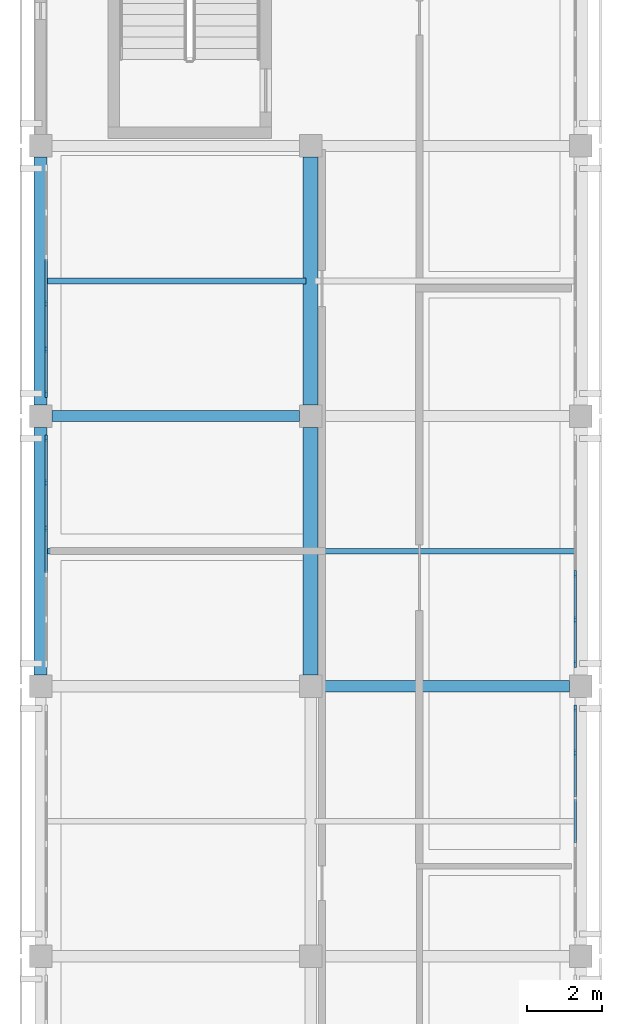
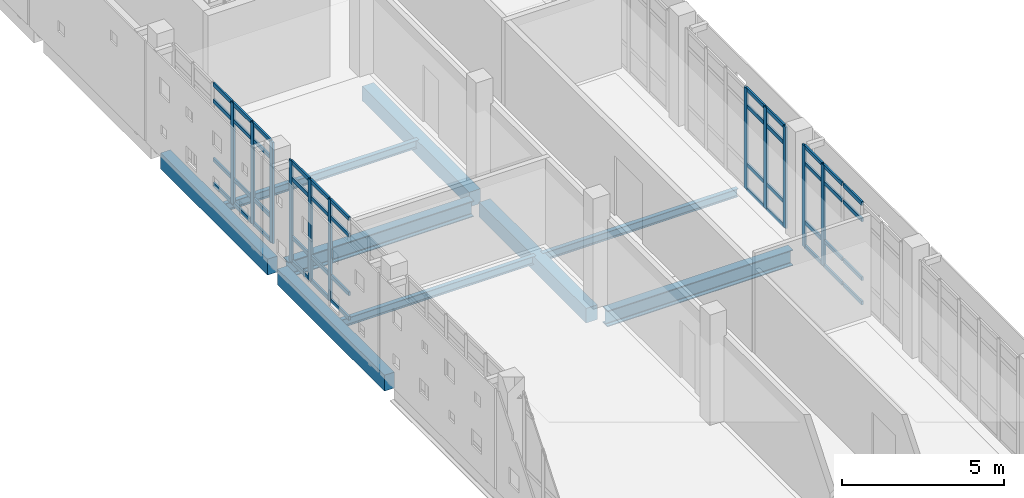
# One storey, part 6 of 21: 55 members, 9 beams, 4 elements without a shape of their own.
"""IFC4 building model written with IfcOpenShell, lengths in metres."""

from ifc_helpers import new_model, si_unit, direction, frame, origin, origin_2d, place, context, subcontext, project, spatial, rectangle, i_section, extrude, material, layer, layer_set, material_profile, profile_set, type_object, element, aggregate, save


model = new_model("IFC4")

# Units and contexts
model_context = context("Model", 3, precision=1e-05, world=origin(), true_north=direction((0.0, 1.0)))
body_context = subcontext(model_context, "Body", "Model", "MODEL_VIEW")
ifc_project = project(units=[si_unit("LENGTHUNIT", "METRE"), si_unit("AREAUNIT", "SQUARE_METRE"), si_unit("VOLUMEUNIT", "CUBIC_METRE"), si_unit("PLANEANGLEUNIT", "RADIAN"), si_unit("MASSUNIT", "GRAM", prefix="KILO")], contexts=[model_context])

# Site, building, storey
site_placement = place(None, origin())
site = spatial("IfcSite", under=ifc_project, at=site_placement, CompositionType="ELEMENT")
building_placement = place(site_placement, origin())
building = spatial("IfcBuilding", under=site, at=building_placement, Name="Valkovuoma Quantum and Materials Research Institute", CompositionType="ELEMENT")
storey_placement = place(building_placement, frame((0.0, 0.0, 33.919921875)))
storey = spatial("IfcBuildingStorey", under=building, at=storey_placement, Name="L08", CompositionType="ELEMENT", Elevation=33.919921875)

# Beams
ifc_material_1 = material(Name="Steel S355J2", Category="steel")
ifc_material_profile_1 = material_profile(ifc_material_1, i_section(OverallWidth=0.300048828125, OverallDepth=0.60009765625, WebThickness=0.015380859375, FlangeThickness=0.030029296875, FilletRadius=0.027099609375, at=origin_2d()), Name="Steel S355J2")
ifc_profile_set_1 = profile_set([ifc_material_profile_1], Name="Steel S355J2")
beam_type_1 = type_object("IfcBeamType", Name="Beam-B-HEB600", PredefinedType="BEAM", material=ifc_profile_set_1)
beam_1_placement = place(storey_placement, frame((7.5, 57.60009765625, -0.64990234375), z_axis=(1.0, 0.0, 0.0), x_axis=(0.0, 1.0, 0.0)))
element("IfcBeam", 1, at=beam_1_placement, inside=storey, type_object=beam_type_1, Name="L08 beam X-2539", PredefinedType="BEAM", context=body_context, shape_type="SweptSolid", body=[
    extrude(i_section(OverallWidth=0.300048828125, OverallDepth=0.60009765625, WebThickness=0.015380859375, FlangeThickness=0.030029296875, FilletRadius=0.027099609375, at=origin_2d()), origin(), (0.0, 0.0, 1.0), 6.60009765625),
])
beam_2_placement = place(storey_placement, frame((0.300048828125, 64.800048828125, -0.64990234375), z_axis=(1.0, 0.0, 0.0), x_axis=(0.0, 1.0, 0.0)))
element("IfcBeam", 2, at=beam_2_placement, inside=storey, type_object=beam_type_1, Name="L08 beam X-2540", PredefinedType="BEAM", context=body_context, shape_type="SweptSolid", body=[
    extrude(i_section(OverallWidth=0.300048828125, OverallDepth=0.60009765625, WebThickness=0.015380859375, FlangeThickness=0.030029296875, FilletRadius=0.027099609375, at=origin_2d()), origin(), (0.0, 0.0, 1.0), 6.599853515625),
])
ifc_material_2 = material(Name="Steel S355J2", Category="steel")
ifc_material_profile_2 = material_profile(ifc_material_2, i_section(OverallWidth=0.14990234375, OverallDepth=0.300048828125, WebThickness=0.007080078125, FlangeThickness=0.0107421875, FilletRadius=0.014892578125, at=origin_2d()), Name="Steel S355J2")
ifc_profile_set_2 = profile_set([ifc_material_profile_2], Name="Steel S355J2")
beam_type_2 = type_object("IfcBeamType", Name="Beam-B-JST300", PredefinedType="JOIST", material=ifc_profile_set_2)
for number, where, z_axis, x_axis, name in (
    (3, (0.1201171875, 61.199951171875, -0.5), (1.0, 0.0, 0.0), (0.0, 1.0, 0.0), "L08 floor joist 2566"),
    (4, (7.320068359375, 61.199951171875, -0.5), (1.0, 0.0, 0.0), (0.0, 1.0, 0.0), "L08 floor joist 2567"),
    (5, (0.1201171875, 68.39990234375, -0.5), (1.0, 0.0, 0.0), (0.0, 1.0, 0.0), "L08 floor joist 2568"),
):
    element("IfcBeam", number, at=place(storey_placement, frame(where, z_axis=z_axis, x_axis=x_axis)), inside=storey, type_object=beam_type_2, Name=name, PredefinedType="JOIST", context=body_context, shape_type="SweptSolid", body=[
        extrude(i_section(OverallWidth=0.14990234375, OverallDepth=0.300048828125, WebThickness=0.007080078125, FlangeThickness=0.0107421875, FilletRadius=0.014892578125, at=origin_2d()), origin(), (0.0, 0.0, 1.0), 6.9599609375),
    ])
ifc_material_3 = material(Name="Concrete C40/50", Category="concrete")
ifc_material_profile_3 = material_profile(ifc_material_3, rectangle(XDim=0.39990234375, YDim=0.550048828125, at=origin_2d()), Name="Concrete C40/50")
ifc_profile_set_3 = profile_set([ifc_material_profile_3], Name="Concrete C40/50")
beam_type_3 = type_object("IfcBeamType", Name="Beam-B-RC550", PredefinedType="BEAM", material=ifc_profile_set_3)
beam_3_placement = place(storey_placement, frame((7.199951171875, 57.89990234375, -0.625), z_axis=(0.0, 1.0, 0.0), x_axis=(-1.0, 0.0, 0.0)))
element("IfcBeam", 6, at=beam_3_placement, inside=storey, type_object=beam_type_3, Name="L08 beam Y-2553", PredefinedType="BEAM", context=body_context, shape_type="SweptSolid", body=[
    extrude(rectangle(XDim=0.39990234375, YDim=0.550048828125, at=origin_2d()), origin(), (0.0, 0.0, 1.0), 6.60009765625),
])
beam_4_placement = place(storey_placement, frame((7.199951171875, 65.10009765625, -0.625), z_axis=(0.0, 1.0, 0.0), x_axis=(-1.0, 0.0, 0.0)))
element("IfcBeam", 7, at=beam_4_placement, inside=storey, type_object=beam_type_3, Name="L08 beam Y-2554", PredefinedType="BEAM", context=body_context, shape_type="SweptSolid", body=[
    extrude(rectangle(XDim=0.39990234375, YDim=0.550048828125, at=origin_2d()), origin(), (0.0, 0.0, 1.0), 6.599853515625),
])
ifc_material_4 = material(Name="Concrete C40/50", Category="concrete")
ifc_material_profile_4 = material_profile(ifc_material_4, rectangle(XDim=0.35009765625, YDim=0.60009765625, at=origin_2d()), Name="Concrete C40/50")
ifc_profile_set_4 = profile_set([ifc_material_profile_4], Name="Concrete C40/50")
beam_type_4 = type_object("IfcBeamType", Name="Beam-B-SPN600", PredefinedType="SPANDREL", material=ifc_profile_set_4)
beam_5_placement = place(storey_placement, frame((0.0, 57.89990234375, -0.64990234375), z_axis=(0.0, 1.0, 0.0), x_axis=(-1.0, 0.0, 0.0)))
element("IfcBeam", 8, at=beam_5_placement, inside=storey, type_object=beam_type_4, Name="L08 beam Y-2548", PredefinedType="SPANDREL", context=body_context, shape_type="SweptSolid", body=[
    extrude(rectangle(XDim=0.35009765625, YDim=0.60009765625, at=origin_2d()), origin(), (0.0, 0.0, 1.0), 6.60009765625),
])
beam_6_placement = place(storey_placement, frame((0.0, 65.10009765625, -0.64990234375), z_axis=(0.0, 1.0, 0.0), x_axis=(-1.0, 0.0, 0.0)))
element("IfcBeam", 9, at=beam_6_placement, inside=storey, type_object=beam_type_4, Name="L08 beam Y-2549", PredefinedType="SPANDREL", context=body_context, shape_type="SweptSolid", body=[
    extrude(rectangle(XDim=0.35009765625, YDim=0.60009765625, at=origin_2d()), origin(), (0.0, 0.0, 1.0), 6.599853515625),
])

# Curtain wall, members
ifc_material_5 = material(Name="Thermally broken aluminium and triple low-E glazing", Category="aluminium")
ifc_layer = layer(ifc_material_5, 0.219970703125)
ifc_layer_set = layer_set([ifc_layer], Name="Thermally broken aluminium and triple low-E glazing")
curtain_wall_type = type_object("IfcCurtainWallType", Name="CW-CW-01", PredefinedType="NOTDEFINED", material=ifc_layer_set)
curtain_wall_1_placement = place(storey_placement, origin())
curtain_wall_1 = element("IfcCurtainWall", 10, at=curtain_wall_1_placement, inside=storey, type_object=curtain_wall_type, Name="L08 curtain wall 117", PredefinedType="NOTDEFINED")
ifc_material_6 = material(Name="Anodised aluminium 6060-T66", Category="aluminium")
ifc_material_profile_5 = material_profile(ifc_material_6, rectangle(XDim=0.06494140625, YDim=0.179931640625, at=origin_2d()), Name="Anodised aluminium 6060-T66")
ifc_profile_set_5 = profile_set([ifc_material_profile_5], Name="Anodised aluminium 6060-T66")
member_type_1 = type_object("IfcMemberType", Name="CWMull-CWM-01", PredefinedType="MULLION", material=ifc_profile_set_5)
member_1_placement = place(storey_placement, frame((14.25, 55.82568359375, 0.0), z_axis=(0.0, 0.0, 1.0), x_axis=(-1.0, 0.0, 0.0)))
member_1 = element("IfcMember", 11, at=member_1_placement, type_object=member_type_1, Name="CW-01 mullion 5", PredefinedType="MULLION", context=body_context, shape_type="SweptSolid", body=[
    extrude(rectangle(XDim=0.06494140625, YDim=0.179931640625, at=origin_2d()), origin(), (0.0, 0.0, 1.0), 3.81005859375),
])
member_2_placement = place(storey_placement, frame((14.25, 57.010498046875, 0.0), z_axis=(0.0, 0.0, 1.0), x_axis=(-1.0, 0.0, 0.0)))
member_2 = element("IfcMember", 12, at=member_2_placement, type_object=member_type_1, Name="CW-01 mullion 6", PredefinedType="MULLION", context=body_context, shape_type="SweptSolid", body=[
    extrude(rectangle(XDim=0.06494140625, YDim=0.179931640625, at=origin_2d()), origin(), (0.0, 0.0, 1.0), 3.81005859375),
])

curtain_wall_2_placement = place(storey_placement, origin())
curtain_wall_2 = element("IfcCurtainWall", 13, at=curtain_wall_2_placement, inside=storey, type_object=curtain_wall_type, Name="L08 curtain wall 118", PredefinedType="NOTDEFINED")
member_3_placement = place(storey_placement, frame((0.14990234375, 61.80859375, 0.0), z_axis=(0.0, 0.0, 1.0), x_axis=(-1.0, 0.0, 0.0)))
member_3 = element("IfcMember", 14, at=member_3_placement, type_object=member_type_1, Name="CW-01 mullion 4", PredefinedType="MULLION", context=body_context, shape_type="SweptSolid", body=[
    extrude(rectangle(XDim=0.06494140625, YDim=0.179931640625, at=origin_2d()), origin(), (0.0, 0.0, 1.0), 3.81005859375),
])
member_4_placement = place(storey_placement, frame((0.14990234375, 63.025634765625, 0.0), z_axis=(0.0, 0.0, 1.0), x_axis=(-1.0, 0.0, 0.0)))
member_4 = element("IfcMember", 15, at=member_4_placement, type_object=member_type_1, Name="CW-01 mullion 5", PredefinedType="MULLION", context=body_context, shape_type="SweptSolid", body=[
    extrude(rectangle(XDim=0.06494140625, YDim=0.179931640625, at=origin_2d()), origin(), (0.0, 0.0, 1.0), 3.81005859375),
])
member_5_placement = place(storey_placement, frame((0.14990234375, 64.21044921875, 0.0), z_axis=(0.0, 0.0, 1.0), x_axis=(-1.0, 0.0, 0.0)))
member_5 = element("IfcMember", 16, at=member_5_placement, type_object=member_type_1, Name="CW-01 mullion 6", PredefinedType="MULLION", context=body_context, shape_type="SweptSolid", body=[
    extrude(rectangle(XDim=0.06494140625, YDim=0.179931640625, at=origin_2d()), origin(), (0.0, 0.0, 1.0), 3.81005859375),
])

curtain_wall_3_placement = place(storey_placement, origin())
curtain_wall_3 = element("IfcCurtainWall", 17, at=curtain_wall_3_placement, inside=storey, type_object=curtain_wall_type, Name="L08 curtain wall 119", PredefinedType="NOTDEFINED")
member_6_placement = place(storey_placement, frame((14.25, 58.189697265625, 0.0), z_axis=(0.0, 0.0, 1.0), x_axis=(-1.0, 0.0, 0.0)))
member_6 = element("IfcMember", 18, at=member_6_placement, type_object=member_type_1, Name="CW-01 mullion 1", PredefinedType="MULLION", context=body_context, shape_type="SweptSolid", body=[
    extrude(rectangle(XDim=0.06494140625, YDim=0.179931640625, at=origin_2d()), origin(), (0.0, 0.0, 1.0), 3.81005859375),
])
member_7_placement = place(storey_placement, frame((14.25, 59.374267578125, 0.0), z_axis=(0.0, 0.0, 1.0), x_axis=(-1.0, 0.0, 0.0)))
member_7 = element("IfcMember", 19, at=member_7_placement, type_object=member_type_1, Name="CW-01 mullion 2", PredefinedType="MULLION", context=body_context, shape_type="SweptSolid", body=[
    extrude(rectangle(XDim=0.06494140625, YDim=0.179931640625, at=origin_2d()), origin(), (0.0, 0.0, 1.0), 3.81005859375),
])
member_8_placement = place(storey_placement, frame((14.25, 60.59130859375, 0.0), z_axis=(0.0, 0.0, 1.0), x_axis=(-1.0, 0.0, 0.0)))
member_8 = element("IfcMember", 20, at=member_8_placement, type_object=member_type_1, Name="CW-01 mullion 3", PredefinedType="MULLION", context=body_context, shape_type="SweptSolid", body=[
    extrude(rectangle(XDim=0.06494140625, YDim=0.179931640625, at=origin_2d()), origin(), (0.0, 0.0, 1.0), 3.81005859375),
])

curtain_wall_4_placement = place(storey_placement, origin())
curtain_wall_4 = element("IfcCurtainWall", 21, at=curtain_wall_4_placement, inside=storey, type_object=curtain_wall_type, Name="L08 curtain wall 120", PredefinedType="NOTDEFINED")
member_9_placement = place(storey_placement, frame((0.14990234375, 65.3896484375, 0.0), z_axis=(0.0, 0.0, 1.0), x_axis=(-1.0, 0.0, 0.0)))
member_9 = element("IfcMember", 22, at=member_9_placement, type_object=member_type_1, Name="CW-01 mullion 1", PredefinedType="MULLION", context=body_context, shape_type="SweptSolid", body=[
    extrude(rectangle(XDim=0.06494140625, YDim=0.179931640625, at=origin_2d()), origin(), (0.0, 0.0, 1.0), 3.81005859375),
])
member_10_placement = place(storey_placement, frame((0.14990234375, 66.57421875, 0.0), z_axis=(0.0, 0.0, 1.0), x_axis=(-1.0, 0.0, 0.0)))
member_10 = element("IfcMember", 23, at=member_10_placement, type_object=member_type_1, Name="CW-01 mullion 2", PredefinedType="MULLION", context=body_context, shape_type="SweptSolid", body=[
    extrude(rectangle(XDim=0.06494140625, YDim=0.179931640625, at=origin_2d()), origin(), (0.0, 0.0, 1.0), 3.81005859375),
])
member_11_placement = place(storey_placement, frame((0.14990234375, 67.79150390625, 0.0), z_axis=(0.0, 0.0, 1.0), x_axis=(-1.0, 0.0, 0.0)))
member_11 = element("IfcMember", 24, at=member_11_placement, type_object=member_type_1, Name="CW-01 mullion 3", PredefinedType="MULLION", context=body_context, shape_type="SweptSolid", body=[
    extrude(rectangle(XDim=0.06494140625, YDim=0.179931640625, at=origin_2d()), origin(), (0.0, 0.0, 1.0), 3.81005859375),
])

# Member
ifc_material_7 = material(Name="Anodised aluminium 6060-T66", Category="aluminium")
ifc_material_profile_6 = material_profile(ifc_material_7, rectangle(XDim=0.06494140625, YDim=0.139892578125, at=origin_2d()), Name="Anodised aluminium 6060-T66")
ifc_profile_set_6 = profile_set([ifc_material_profile_6], Name="Anodised aluminium 6060-T66")
member_type_2 = type_object("IfcMemberType", Name="CWTran-CWT-01", PredefinedType="USERDEFINED", material=ifc_profile_set_6)
member_12_placement = place(storey_placement, frame((14.25, 53.423828125, 0.032470703125), z_axis=(0.0, 1.0, 0.0), x_axis=(-1.0, 0.0, 0.0)))
member_12 = element("IfcMember", 25, at=member_12_placement, type_object=member_type_2, Name="CW-01 transom 3.1", ObjectType="TRANSOM", PredefinedType="USERDEFINED", context=body_context, shape_type="SweptSolid", body=[
    extrude(rectangle(XDim=0.06494140625, YDim=0.139892578125, at=origin_2d()), origin(), (0.0, 0.0, 1.0), 1.15234375),
])

member_13_placement = place(storey_placement, frame((14.25, 53.423828125, 0.9501953125), z_axis=(0.0, 1.0, 0.0), x_axis=(-1.0, 0.0, 0.0)))
member_13 = element("IfcMember", 26, at=member_13_placement, type_object=member_type_2, Name="CW-01 transom 3.2", ObjectType="TRANSOM", PredefinedType="USERDEFINED", context=body_context, shape_type="SweptSolid", body=[
    extrude(rectangle(XDim=0.06494140625, YDim=0.139892578125, at=origin_2d()), origin(), (0.0, 0.0, 1.0), 1.15234375),
])

member_14_placement = place(storey_placement, frame((14.25, 53.423828125, 3.16015625), z_axis=(0.0, 1.0, 0.0), x_axis=(-1.0, 0.0, 0.0)))
member_14 = element("IfcMember", 27, at=member_14_placement, type_object=member_type_2, Name="CW-01 transom 3.3", ObjectType="TRANSOM", PredefinedType="USERDEFINED", context=body_context, shape_type="SweptSolid", body=[
    extrude(rectangle(XDim=0.06494140625, YDim=0.139892578125, at=origin_2d()), origin(), (0.0, 0.0, 1.0), 1.15234375),
])

member_15_placement = place(storey_placement, frame((14.25, 53.423828125, 3.777587890625), z_axis=(0.0, 1.0, 0.0), x_axis=(-1.0, 0.0, 0.0)))
member_15 = element("IfcMember", 28, at=member_15_placement, type_object=member_type_2, Name="CW-01 transom 3.4", ObjectType="TRANSOM", PredefinedType="USERDEFINED", context=body_context, shape_type="SweptSolid", body=[
    extrude(rectangle(XDim=0.06494140625, YDim=0.139892578125, at=origin_2d()), origin(), (0.0, 0.0, 1.0), 1.15234375),
])

member_16_placement = place(storey_placement, frame((14.25, 54.64111328125, 0.032470703125), z_axis=(0.0, 1.0, 0.0), x_axis=(-1.0, 0.0, 0.0)))
member_16 = element("IfcMember", 29, at=member_16_placement, type_object=member_type_2, Name="CW-01 transom 4.1", ObjectType="TRANSOM", PredefinedType="USERDEFINED", context=body_context, shape_type="SweptSolid", body=[
    extrude(rectangle(XDim=0.06494140625, YDim=0.139892578125, at=origin_2d()), origin(), (0.0, 0.0, 1.0), 1.152099609375),
])

member_17_placement = place(storey_placement, frame((14.25, 54.64111328125, 0.9501953125), z_axis=(0.0, 1.0, 0.0), x_axis=(-1.0, 0.0, 0.0)))
member_17 = element("IfcMember", 30, at=member_17_placement, type_object=member_type_2, Name="CW-01 transom 4.2", ObjectType="TRANSOM", PredefinedType="USERDEFINED", context=body_context, shape_type="SweptSolid", body=[
    extrude(rectangle(XDim=0.06494140625, YDim=0.139892578125, at=origin_2d()), origin(), (0.0, 0.0, 1.0), 1.152099609375),
])

member_18_placement = place(storey_placement, frame((14.25, 54.64111328125, 3.16015625), z_axis=(0.0, 1.0, 0.0), x_axis=(-1.0, 0.0, 0.0)))
member_18 = element("IfcMember", 31, at=member_18_placement, type_object=member_type_2, Name="CW-01 transom 4.3", ObjectType="TRANSOM", PredefinedType="USERDEFINED", context=body_context, shape_type="SweptSolid", body=[
    extrude(rectangle(XDim=0.06494140625, YDim=0.139892578125, at=origin_2d()), origin(), (0.0, 0.0, 1.0), 1.152099609375),
])

member_19_placement = place(storey_placement, frame((14.25, 54.64111328125, 3.777587890625), z_axis=(0.0, 1.0, 0.0), x_axis=(-1.0, 0.0, 0.0)))
member_19 = element("IfcMember", 32, at=member_19_placement, type_object=member_type_2, Name="CW-01 transom 4.4", ObjectType="TRANSOM", PredefinedType="USERDEFINED", context=body_context, shape_type="SweptSolid", body=[
    extrude(rectangle(XDim=0.06494140625, YDim=0.139892578125, at=origin_2d()), origin(), (0.0, 0.0, 1.0), 1.152099609375),
])

member_20_placement = place(storey_placement, frame((14.25, 55.858154296875, 0.032470703125), z_axis=(0.0, 1.0, 0.0), x_axis=(-1.0, 0.0, 0.0)))
member_20 = element("IfcMember", 33, at=member_20_placement, type_object=member_type_2, Name="CW-01 transom 5.1", ObjectType="TRANSOM", PredefinedType="USERDEFINED", context=body_context, shape_type="SweptSolid", body=[
    extrude(rectangle(XDim=0.06494140625, YDim=0.139892578125, at=origin_2d()), origin(), (0.0, 0.0, 1.0), 1.11962890625),
])

member_21_placement = place(storey_placement, frame((14.25, 55.858154296875, 0.9501953125), z_axis=(0.0, 1.0, 0.0), x_axis=(-1.0, 0.0, 0.0)))
member_21 = element("IfcMember", 34, at=member_21_placement, type_object=member_type_2, Name="CW-01 transom 5.2", ObjectType="TRANSOM", PredefinedType="USERDEFINED", context=body_context, shape_type="SweptSolid", body=[
    extrude(rectangle(XDim=0.06494140625, YDim=0.139892578125, at=origin_2d()), origin(), (0.0, 0.0, 1.0), 1.11962890625),
])

member_22_placement = place(storey_placement, frame((14.25, 55.858154296875, 3.16015625), z_axis=(0.0, 1.0, 0.0), x_axis=(-1.0, 0.0, 0.0)))
member_22 = element("IfcMember", 35, at=member_22_placement, type_object=member_type_2, Name="CW-01 transom 5.3", ObjectType="TRANSOM", PredefinedType="USERDEFINED", context=body_context, shape_type="SweptSolid", body=[
    extrude(rectangle(XDim=0.06494140625, YDim=0.139892578125, at=origin_2d()), origin(), (0.0, 0.0, 1.0), 1.11962890625),
])

member_23_placement = place(storey_placement, frame((14.25, 55.858154296875, 3.777587890625), z_axis=(0.0, 1.0, 0.0), x_axis=(-1.0, 0.0, 0.0)))
member_23 = element("IfcMember", 36, at=member_23_placement, type_object=member_type_2, Name="CW-01 transom 5.4", ObjectType="TRANSOM", PredefinedType="USERDEFINED", context=body_context, shape_type="SweptSolid", body=[
    extrude(rectangle(XDim=0.06494140625, YDim=0.139892578125, at=origin_2d()), origin(), (0.0, 0.0, 1.0), 1.11962890625),
])

aggregate(curtain_wall_1, [member_1, member_2, member_12, member_13, member_14, member_15, member_16, member_17, member_18, member_19, member_20, member_21, member_22, member_23])

member_24_placement = place(storey_placement, frame((0.14990234375, 60.6240234375, 0.032470703125), z_axis=(0.0, 1.0, 0.0), x_axis=(-1.0, 0.0, 0.0)))
member_24 = element("IfcMember", 37, at=member_24_placement, type_object=member_type_2, Name="CW-01 transom 3.1", ObjectType="TRANSOM", PredefinedType="USERDEFINED", context=body_context, shape_type="SweptSolid", body=[
    extrude(rectangle(XDim=0.06494140625, YDim=0.139892578125, at=origin_2d()), origin(), (0.0, 0.0, 1.0), 1.152099609375),
])

member_25_placement = place(storey_placement, frame((0.14990234375, 60.6240234375, 0.9501953125), z_axis=(0.0, 1.0, 0.0), x_axis=(-1.0, 0.0, 0.0)))
member_25 = element("IfcMember", 38, at=member_25_placement, type_object=member_type_2, Name="CW-01 transom 3.2", ObjectType="TRANSOM", PredefinedType="USERDEFINED", context=body_context, shape_type="SweptSolid", body=[
    extrude(rectangle(XDim=0.06494140625, YDim=0.139892578125, at=origin_2d()), origin(), (0.0, 0.0, 1.0), 1.152099609375),
])

member_26_placement = place(storey_placement, frame((0.14990234375, 60.6240234375, 3.16015625), z_axis=(0.0, 1.0, 0.0), x_axis=(-1.0, 0.0, 0.0)))
member_26 = element("IfcMember", 39, at=member_26_placement, type_object=member_type_2, Name="CW-01 transom 3.3", ObjectType="TRANSOM", PredefinedType="USERDEFINED", context=body_context, shape_type="SweptSolid", body=[
    extrude(rectangle(XDim=0.06494140625, YDim=0.139892578125, at=origin_2d()), origin(), (0.0, 0.0, 1.0), 1.152099609375),
])

member_27_placement = place(storey_placement, frame((0.14990234375, 60.6240234375, 3.777587890625), z_axis=(0.0, 1.0, 0.0), x_axis=(-1.0, 0.0, 0.0)))
member_27 = element("IfcMember", 40, at=member_27_placement, type_object=member_type_2, Name="CW-01 transom 3.4", ObjectType="TRANSOM", PredefinedType="USERDEFINED", context=body_context, shape_type="SweptSolid", body=[
    extrude(rectangle(XDim=0.06494140625, YDim=0.139892578125, at=origin_2d()), origin(), (0.0, 0.0, 1.0), 1.152099609375),
])

member_28_placement = place(storey_placement, frame((0.14990234375, 61.841064453125, 0.032470703125), z_axis=(0.0, 1.0, 0.0), x_axis=(-1.0, 0.0, 0.0)))
member_28 = element("IfcMember", 41, at=member_28_placement, type_object=member_type_2, Name="CW-01 transom 4.1", ObjectType="TRANSOM", PredefinedType="USERDEFINED", context=body_context, shape_type="SweptSolid", body=[
    extrude(rectangle(XDim=0.06494140625, YDim=0.139892578125, at=origin_2d()), origin(), (0.0, 0.0, 1.0), 1.152099609375),
])

member_29_placement = place(storey_placement, frame((0.14990234375, 61.841064453125, 0.9501953125), z_axis=(0.0, 1.0, 0.0), x_axis=(-1.0, 0.0, 0.0)))
member_29 = element("IfcMember", 42, at=member_29_placement, type_object=member_type_2, Name="CW-01 transom 4.2", ObjectType="TRANSOM", PredefinedType="USERDEFINED", context=body_context, shape_type="SweptSolid", body=[
    extrude(rectangle(XDim=0.06494140625, YDim=0.139892578125, at=origin_2d()), origin(), (0.0, 0.0, 1.0), 1.152099609375),
])

member_30_placement = place(storey_placement, frame((0.14990234375, 61.841064453125, 3.16015625), z_axis=(0.0, 1.0, 0.0), x_axis=(-1.0, 0.0, 0.0)))
member_30 = element("IfcMember", 43, at=member_30_placement, type_object=member_type_2, Name="CW-01 transom 4.3", ObjectType="TRANSOM", PredefinedType="USERDEFINED", context=body_context, shape_type="SweptSolid", body=[
    extrude(rectangle(XDim=0.06494140625, YDim=0.139892578125, at=origin_2d()), origin(), (0.0, 0.0, 1.0), 1.152099609375),
])

member_31_placement = place(storey_placement, frame((0.14990234375, 61.841064453125, 3.777587890625), z_axis=(0.0, 1.0, 0.0), x_axis=(-1.0, 0.0, 0.0)))
member_31 = element("IfcMember", 44, at=member_31_placement, type_object=member_type_2, Name="CW-01 transom 4.4", ObjectType="TRANSOM", PredefinedType="USERDEFINED", context=body_context, shape_type="SweptSolid", body=[
    extrude(rectangle(XDim=0.06494140625, YDim=0.139892578125, at=origin_2d()), origin(), (0.0, 0.0, 1.0), 1.152099609375),
])

member_32_placement = place(storey_placement, frame((0.14990234375, 63.058349609375, 0.032470703125), z_axis=(0.0, 1.0, 0.0), x_axis=(-1.0, 0.0, 0.0)))
member_32 = element("IfcMember", 45, at=member_32_placement, type_object=member_type_2, Name="CW-01 transom 5.1", ObjectType="TRANSOM", PredefinedType="USERDEFINED", context=body_context, shape_type="SweptSolid", body=[
    extrude(rectangle(XDim=0.06494140625, YDim=0.139892578125, at=origin_2d()), origin(), (0.0, 0.0, 1.0), 1.11962890625),
])

member_33_placement = place(storey_placement, frame((0.14990234375, 63.058349609375, 0.9501953125), z_axis=(0.0, 1.0, 0.0), x_axis=(-1.0, 0.0, 0.0)))
member_33 = element("IfcMember", 46, at=member_33_placement, type_object=member_type_2, Name="CW-01 transom 5.2", ObjectType="TRANSOM", PredefinedType="USERDEFINED", context=body_context, shape_type="SweptSolid", body=[
    extrude(rectangle(XDim=0.06494140625, YDim=0.139892578125, at=origin_2d()), origin(), (0.0, 0.0, 1.0), 1.11962890625),
])

member_34_placement = place(storey_placement, frame((0.14990234375, 63.058349609375, 3.16015625), z_axis=(0.0, 1.0, 0.0), x_axis=(-1.0, 0.0, 0.0)))
member_34 = element("IfcMember", 47, at=member_34_placement, type_object=member_type_2, Name="CW-01 transom 5.3", ObjectType="TRANSOM", PredefinedType="USERDEFINED", context=body_context, shape_type="SweptSolid", body=[
    extrude(rectangle(XDim=0.06494140625, YDim=0.139892578125, at=origin_2d()), origin(), (0.0, 0.0, 1.0), 1.11962890625),
])

member_35_placement = place(storey_placement, frame((0.14990234375, 63.058349609375, 3.777587890625), z_axis=(0.0, 1.0, 0.0), x_axis=(-1.0, 0.0, 0.0)))
member_35 = element("IfcMember", 48, at=member_35_placement, type_object=member_type_2, Name="CW-01 transom 5.4", ObjectType="TRANSOM", PredefinedType="USERDEFINED", context=body_context, shape_type="SweptSolid", body=[
    extrude(rectangle(XDim=0.06494140625, YDim=0.139892578125, at=origin_2d()), origin(), (0.0, 0.0, 1.0), 1.11962890625),
])

aggregate(curtain_wall_2, [member_3, member_4, member_5, member_24, member_25, member_26, member_27, member_28, member_29, member_30, member_31, member_32, member_33, member_34, member_35])

member_36_placement = place(storey_placement, frame((14.25, 58.22216796875, 0.032470703125), z_axis=(0.0, 1.0, 0.0), x_axis=(-1.0, 0.0, 0.0)))
member_36 = element("IfcMember", 49, at=member_36_placement, type_object=member_type_2, Name="CW-01 transom 1.1", ObjectType="TRANSOM", PredefinedType="USERDEFINED", context=body_context, shape_type="SweptSolid", body=[
    extrude(rectangle(XDim=0.06494140625, YDim=0.139892578125, at=origin_2d()), origin(), (0.0, 0.0, 1.0), 1.11962890625),
])

member_37_placement = place(storey_placement, frame((14.25, 58.22216796875, 0.9501953125), z_axis=(0.0, 1.0, 0.0), x_axis=(-1.0, 0.0, 0.0)))
member_37 = element("IfcMember", 50, at=member_37_placement, type_object=member_type_2, Name="CW-01 transom 1.2", ObjectType="TRANSOM", PredefinedType="USERDEFINED", context=body_context, shape_type="SweptSolid", body=[
    extrude(rectangle(XDim=0.06494140625, YDim=0.139892578125, at=origin_2d()), origin(), (0.0, 0.0, 1.0), 1.11962890625),
])

member_38_placement = place(storey_placement, frame((14.25, 58.22216796875, 3.16015625), z_axis=(0.0, 1.0, 0.0), x_axis=(-1.0, 0.0, 0.0)))
member_38 = element("IfcMember", 51, at=member_38_placement, type_object=member_type_2, Name="CW-01 transom 1.3", ObjectType="TRANSOM", PredefinedType="USERDEFINED", context=body_context, shape_type="SweptSolid", body=[
    extrude(rectangle(XDim=0.06494140625, YDim=0.139892578125, at=origin_2d()), origin(), (0.0, 0.0, 1.0), 1.11962890625),
])

member_39_placement = place(storey_placement, frame((14.25, 58.22216796875, 3.777587890625), z_axis=(0.0, 1.0, 0.0), x_axis=(-1.0, 0.0, 0.0)))
member_39 = element("IfcMember", 52, at=member_39_placement, type_object=member_type_2, Name="CW-01 transom 1.4", ObjectType="TRANSOM", PredefinedType="USERDEFINED", context=body_context, shape_type="SweptSolid", body=[
    extrude(rectangle(XDim=0.06494140625, YDim=0.139892578125, at=origin_2d()), origin(), (0.0, 0.0, 1.0), 1.11962890625),
])

member_40_placement = place(storey_placement, frame((14.25, 59.40673828125, 0.032470703125), z_axis=(0.0, 1.0, 0.0), x_axis=(-1.0, 0.0, 0.0)))
member_40 = element("IfcMember", 53, at=member_40_placement, type_object=member_type_2, Name="CW-01 transom 2.1", ObjectType="TRANSOM", PredefinedType="USERDEFINED", context=body_context, shape_type="SweptSolid", body=[
    extrude(rectangle(XDim=0.06494140625, YDim=0.139892578125, at=origin_2d()), origin(), (0.0, 0.0, 1.0), 1.152099609375),
])

member_41_placement = place(storey_placement, frame((14.25, 59.40673828125, 0.9501953125), z_axis=(0.0, 1.0, 0.0), x_axis=(-1.0, 0.0, 0.0)))
member_41 = element("IfcMember", 54, at=member_41_placement, type_object=member_type_2, Name="CW-01 transom 2.2", ObjectType="TRANSOM", PredefinedType="USERDEFINED", context=body_context, shape_type="SweptSolid", body=[
    extrude(rectangle(XDim=0.06494140625, YDim=0.139892578125, at=origin_2d()), origin(), (0.0, 0.0, 1.0), 1.152099609375),
])

member_42_placement = place(storey_placement, frame((14.25, 59.40673828125, 3.16015625), z_axis=(0.0, 1.0, 0.0), x_axis=(-1.0, 0.0, 0.0)))
member_42 = element("IfcMember", 55, at=member_42_placement, type_object=member_type_2, Name="CW-01 transom 2.3", ObjectType="TRANSOM", PredefinedType="USERDEFINED", context=body_context, shape_type="SweptSolid", body=[
    extrude(rectangle(XDim=0.06494140625, YDim=0.139892578125, at=origin_2d()), origin(), (0.0, 0.0, 1.0), 1.152099609375),
])

member_43_placement = place(storey_placement, frame((14.25, 59.40673828125, 3.777587890625), z_axis=(0.0, 1.0, 0.0), x_axis=(-1.0, 0.0, 0.0)))
member_43 = element("IfcMember", 56, at=member_43_placement, type_object=member_type_2, Name="CW-01 transom 2.4", ObjectType="TRANSOM", PredefinedType="USERDEFINED", context=body_context, shape_type="SweptSolid", body=[
    extrude(rectangle(XDim=0.06494140625, YDim=0.139892578125, at=origin_2d()), origin(), (0.0, 0.0, 1.0), 1.152099609375),
])

aggregate(curtain_wall_3, [member_6, member_7, member_8, member_36, member_37, member_38, member_39, member_40, member_41, member_42, member_43])

member_44_placement = place(storey_placement, frame((0.14990234375, 65.422119140625, 0.032470703125), z_axis=(0.0, 1.0, 0.0), x_axis=(-1.0, 0.0, 0.0)))
member_44 = element("IfcMember", 57, at=member_44_placement, type_object=member_type_2, Name="CW-01 transom 1.1", ObjectType="TRANSOM", PredefinedType="USERDEFINED", context=body_context, shape_type="SweptSolid", body=[
    extrude(rectangle(XDim=0.06494140625, YDim=0.139892578125, at=origin_2d()), origin(), (0.0, 0.0, 1.0), 1.11962890625),
])

member_45_placement = place(storey_placement, frame((0.14990234375, 65.422119140625, 0.9501953125), z_axis=(0.0, 1.0, 0.0), x_axis=(-1.0, 0.0, 0.0)))
member_45 = element("IfcMember", 58, at=member_45_placement, type_object=member_type_2, Name="CW-01 transom 1.2", ObjectType="TRANSOM", PredefinedType="USERDEFINED", context=body_context, shape_type="SweptSolid", body=[
    extrude(rectangle(XDim=0.06494140625, YDim=0.139892578125, at=origin_2d()), origin(), (0.0, 0.0, 1.0), 1.11962890625),
])

member_46_placement = place(storey_placement, frame((0.14990234375, 65.422119140625, 3.16015625), z_axis=(0.0, 1.0, 0.0), x_axis=(-1.0, 0.0, 0.0)))
member_46 = element("IfcMember", 59, at=member_46_placement, type_object=member_type_2, Name="CW-01 transom 1.3", ObjectType="TRANSOM", PredefinedType="USERDEFINED", context=body_context, shape_type="SweptSolid", body=[
    extrude(rectangle(XDim=0.06494140625, YDim=0.139892578125, at=origin_2d()), origin(), (0.0, 0.0, 1.0), 1.11962890625),
])

member_47_placement = place(storey_placement, frame((0.14990234375, 65.422119140625, 3.777587890625), z_axis=(0.0, 1.0, 0.0), x_axis=(-1.0, 0.0, 0.0)))
member_47 = element("IfcMember", 60, at=member_47_placement, type_object=member_type_2, Name="CW-01 transom 1.4", ObjectType="TRANSOM", PredefinedType="USERDEFINED", context=body_context, shape_type="SweptSolid", body=[
    extrude(rectangle(XDim=0.06494140625, YDim=0.139892578125, at=origin_2d()), origin(), (0.0, 0.0, 1.0), 1.11962890625),
])

member_48_placement = place(storey_placement, frame((0.14990234375, 66.606689453125, 0.032470703125), z_axis=(0.0, 1.0, 0.0), x_axis=(-1.0, 0.0, 0.0)))
member_48 = element("IfcMember", 61, at=member_48_placement, type_object=member_type_2, Name="CW-01 transom 2.1", ObjectType="TRANSOM", PredefinedType="USERDEFINED", context=body_context, shape_type="SweptSolid", body=[
    extrude(rectangle(XDim=0.06494140625, YDim=0.139892578125, at=origin_2d()), origin(), (0.0, 0.0, 1.0), 1.15234375),
])

member_49_placement = place(storey_placement, frame((0.14990234375, 66.606689453125, 0.9501953125), z_axis=(0.0, 1.0, 0.0), x_axis=(-1.0, 0.0, 0.0)))
member_49 = element("IfcMember", 62, at=member_49_placement, type_object=member_type_2, Name="CW-01 transom 2.2", ObjectType="TRANSOM", PredefinedType="USERDEFINED", context=body_context, shape_type="SweptSolid", body=[
    extrude(rectangle(XDim=0.06494140625, YDim=0.139892578125, at=origin_2d()), origin(), (0.0, 0.0, 1.0), 1.15234375),
])

member_50_placement = place(storey_placement, frame((0.14990234375, 66.606689453125, 3.16015625), z_axis=(0.0, 1.0, 0.0), x_axis=(-1.0, 0.0, 0.0)))
member_50 = element("IfcMember", 63, at=member_50_placement, type_object=member_type_2, Name="CW-01 transom 2.3", ObjectType="TRANSOM", PredefinedType="USERDEFINED", context=body_context, shape_type="SweptSolid", body=[
    extrude(rectangle(XDim=0.06494140625, YDim=0.139892578125, at=origin_2d()), origin(), (0.0, 0.0, 1.0), 1.15234375),
])

member_51_placement = place(storey_placement, frame((0.14990234375, 66.606689453125, 3.777587890625), z_axis=(0.0, 1.0, 0.0), x_axis=(-1.0, 0.0, 0.0)))
member_51 = element("IfcMember", 64, at=member_51_placement, type_object=member_type_2, Name="CW-01 transom 2.4", ObjectType="TRANSOM", PredefinedType="USERDEFINED", context=body_context, shape_type="SweptSolid", body=[
    extrude(rectangle(XDim=0.06494140625, YDim=0.139892578125, at=origin_2d()), origin(), (0.0, 0.0, 1.0), 1.15234375),
])

member_52_placement = place(storey_placement, frame((0.14990234375, 67.823974609375, 0.032470703125), z_axis=(0.0, 1.0, 0.0), x_axis=(-1.0, 0.0, 0.0)))
member_52 = element("IfcMember", 65, at=member_52_placement, type_object=member_type_2, Name="CW-01 transom 3.1", ObjectType="TRANSOM", PredefinedType="USERDEFINED", context=body_context, shape_type="SweptSolid", body=[
    extrude(rectangle(XDim=0.06494140625, YDim=0.139892578125, at=origin_2d()), origin(), (0.0, 0.0, 1.0), 1.152099609375),
])

member_53_placement = place(storey_placement, frame((0.14990234375, 67.823974609375, 0.9501953125), z_axis=(0.0, 1.0, 0.0), x_axis=(-1.0, 0.0, 0.0)))
member_53 = element("IfcMember", 66, at=member_53_placement, type_object=member_type_2, Name="CW-01 transom 3.2", ObjectType="TRANSOM", PredefinedType="USERDEFINED", context=body_context, shape_type="SweptSolid", body=[
    extrude(rectangle(XDim=0.06494140625, YDim=0.139892578125, at=origin_2d()), origin(), (0.0, 0.0, 1.0), 1.152099609375),
])

member_54_placement = place(storey_placement, frame((0.14990234375, 67.823974609375, 3.16015625), z_axis=(0.0, 1.0, 0.0), x_axis=(-1.0, 0.0, 0.0)))
member_54 = element("IfcMember", 67, at=member_54_placement, type_object=member_type_2, Name="CW-01 transom 3.3", ObjectType="TRANSOM", PredefinedType="USERDEFINED", context=body_context, shape_type="SweptSolid", body=[
    extrude(rectangle(XDim=0.06494140625, YDim=0.139892578125, at=origin_2d()), origin(), (0.0, 0.0, 1.0), 1.152099609375),
])

member_55_placement = place(storey_placement, frame((0.14990234375, 67.823974609375, 3.777587890625), z_axis=(0.0, 1.0, 0.0), x_axis=(-1.0, 0.0, 0.0)))
member_55 = element("IfcMember", 68, at=member_55_placement, type_object=member_type_2, Name="CW-01 transom 3.4", ObjectType="TRANSOM", PredefinedType="USERDEFINED", context=body_context, shape_type="SweptSolid", body=[
    extrude(rectangle(XDim=0.06494140625, YDim=0.139892578125, at=origin_2d()), origin(), (0.0, 0.0, 1.0), 1.152099609375),
])

aggregate(curtain_wall_4, [member_9, member_10, member_11, member_44, member_45, member_46, member_47, member_48, member_49, member_50, member_51, member_52, member_53, member_54, member_55])

save(model, "model.ifc")
